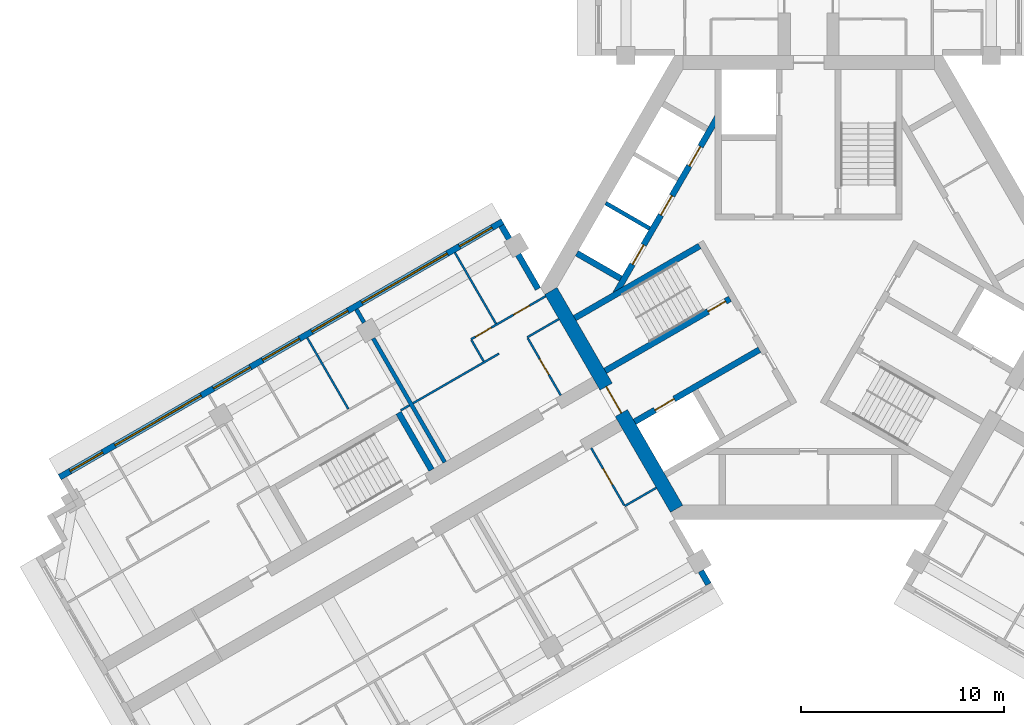
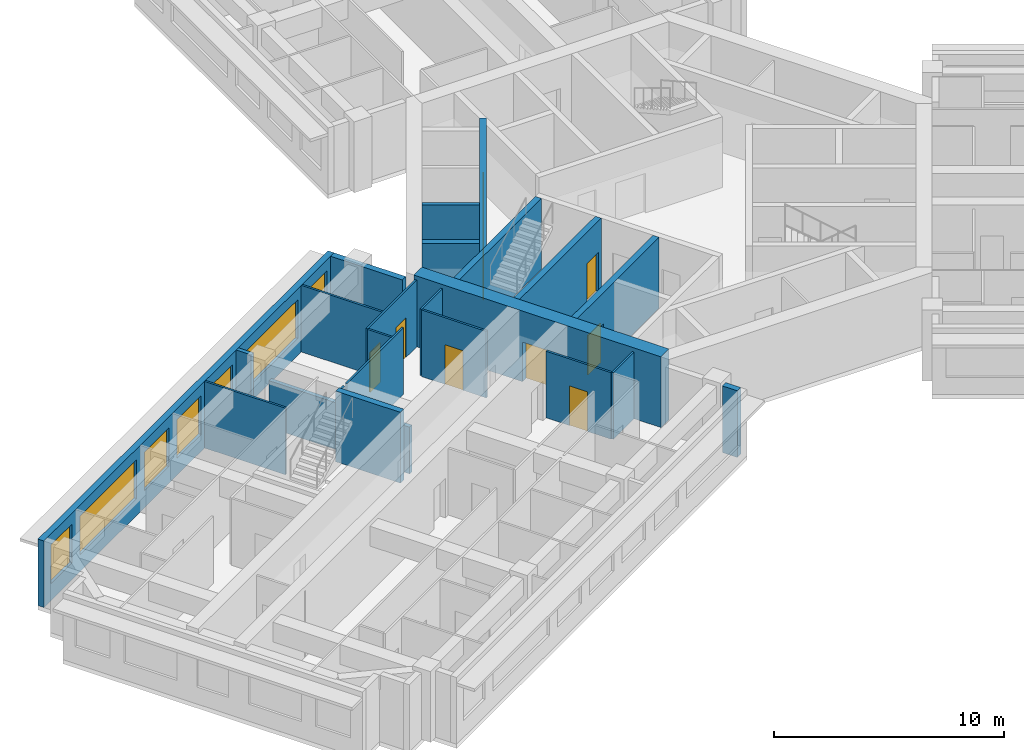
# One storey, part 4 of 12: 23 walls, 10 doors, 7 windows, 17 openings.
"""IFC4 building model written with IfcOpenShell, lengths in metres."""

from ifc_helpers import new_model, si_unit, direction, frame, frame_2d, origin, place, context, subcontext, project, spatial, rectangle, extrude, material, layer, layer_set, type_object, element, fill, save


model = new_model("IFC4")

# Units and contexts
model_context = context("Model", 3, precision=1e-05, world=origin(), true_north=direction((0.0, 1.0)))
body_context = subcontext(model_context, "Body", "Model", "MODEL_VIEW")
ifc_project = project(units=[si_unit("LENGTHUNIT", "METRE"), si_unit("AREAUNIT", "SQUARE_METRE"), si_unit("VOLUMEUNIT", "CUBIC_METRE"), si_unit("PLANEANGLEUNIT", "RADIAN"), si_unit("MASSUNIT", "GRAM", prefix="KILO")], contexts=[model_context])

# Site, building, storey
site_placement = place(None, origin())
site = spatial("IfcSite", under=ifc_project, at=site_placement, CompositionType="ELEMENT")
building_placement = place(site_placement, origin())
building = spatial("IfcBuilding", under=site, at=building_placement, Name="Impinga Residences", CompositionType="ELEMENT")
storey_placement = place(building_placement, frame((0.0, 0.0, 211.0)))
storey = spatial("IfcBuildingStorey", under=building, at=storey_placement, Name="L52", CompositionType="ELEMENT", Elevation=211.0)

# Wall, openings, windows
ifc_material_1 = material(Name="Terracotta rainscreen on blockwork", Category="masonry")
ifc_layer_1 = layer(ifc_material_1, 0.300048828125)
ifc_layer_set_1 = layer_set([ifc_layer_1], Name="EW1 external wall, terracotta rainscreen on blockwork 300")
wall_type_1 = type_object("IfcWallType", Name="EW1 external wall, terracotta rainscreen on blockwork 300", PredefinedType="SOLIDWALL", material=ifc_layer_set_1)
wall_1_placement = place(storey_placement, frame((-36.89892578125, -9.352294921875, 0.0), z_axis=(0.0, 0.0, 1.0), x_axis=(0.86602925447, 0.499993330357, 0.0)))
wall_1 = element("IfcWall", 1, at=wall_1_placement, inside=storey, type_object=wall_type_1, Name="External wall EW1 L52", PredefinedType="SOLIDWALL", context=body_context, shape_type="SweptSolid", body=[
    extrude(rectangle(XDim=25.199951171875, YDim=0.300048828125, at=frame_2d((12.60009765625, 0.0))), origin(), (0.0, 0.0, 1.0), 3.530029296875),
])
opening_1_placement = place(wall_1_placement, frame((0.60009765625, 0.0, 0.89990234375)))
opening_1 = element("IfcOpeningElement", 2, at=opening_1_placement, cuts=wall_1, Name="Opening W15", PredefinedType="OPENING", context=body_context, shape_type="SweptSolid", body=[
    extrude(rectangle(XDim=1.85009765625, YDim=2.050048828125, at=frame_2d((0.925048828125, 1.02490234375))), frame((0.0, 0.159912109375, 0.0), z_axis=(0.0, -1.0, 0.0), x_axis=(1.0, 0.0, 0.0)), (0.0, 0.0, 1.0), 0.320068359375),
])
opening_2_placement = place(wall_1_placement, frame((3.14990234375, 0.0, 0.89990234375)))
opening_2 = element("IfcOpeningElement", 3, at=opening_2_placement, cuts=wall_1, Name="Opening W16", PredefinedType="OPENING", context=body_context, shape_type="SweptSolid", body=[
    extrude(rectangle(XDim=4.89990234375, YDim=2.050048828125, at=frame_2d((2.449951171875, 1.02490234375))), frame((0.0, 0.159912109375, 0.0), z_axis=(0.0, -1.0, 0.0), x_axis=(1.0, 0.0, 0.0)), (0.0, 0.0, 1.0), 0.320068359375),
])
opening_3_placement = place(wall_1_placement, frame((8.75, 0.0, 0.89990234375)))
opening_3 = element("IfcOpeningElement", 4, at=opening_3_placement, cuts=wall_1, Name="Opening W9", PredefinedType="OPENING", context=body_context, shape_type="SweptSolid", body=[
    extrude(rectangle(XDim=2.10009765625, YDim=2.050048828125, at=frame_2d((1.050048828125, 1.02490234375))), frame((0.0, 0.159912109375, 0.0), z_axis=(0.0, -1.0, 0.0), x_axis=(1.0, 0.0, 0.0)), (0.0, 0.0, 1.0), 0.320068359375),
])
opening_4_placement = place(wall_1_placement, frame((11.550048828125, 0.0, 0.89990234375)))
opening_4 = element("IfcOpeningElement", 5, at=opening_4_placement, cuts=wall_1, Name="Opening W9", PredefinedType="OPENING", context=body_context, shape_type="SweptSolid", body=[
    extrude(rectangle(XDim=2.10009765625, YDim=2.050048828125, at=frame_2d((1.050048828125, 1.02490234375))), frame((0.0, 0.159912109375, 0.0), z_axis=(0.0, -1.0, 0.0), x_axis=(1.0, 0.0, 0.0)), (0.0, 0.0, 1.0), 0.320068359375),
])
opening_5_placement = place(wall_1_placement, frame((14.35009765625, 0.0, 0.89990234375)))
opening_5 = element("IfcOpeningElement", 6, at=opening_5_placement, cuts=wall_1, Name="Opening W14", PredefinedType="OPENING", context=body_context, shape_type="SweptSolid", body=[
    extrude(rectangle(XDim=2.050048828125, YDim=2.050048828125, at=frame_2d((1.02490234375, 1.02490234375))), frame((0.0, 0.159912109375, 0.0), z_axis=(0.0, -1.0, 0.0), x_axis=(1.0, 0.0, 0.0)), (0.0, 0.0, 1.0), 0.320068359375),
])
opening_6_placement = place(wall_1_placement, frame((17.199951171875, 0.0, 0.89990234375)))
opening_6 = element("IfcOpeningElement", 7, at=opening_6_placement, cuts=wall_1, Name="Opening W6", PredefinedType="OPENING", context=body_context, shape_type="SweptSolid", body=[
    extrude(rectangle(XDim=4.85009765625, YDim=2.050048828125, at=frame_2d((2.425048828125, 1.02490234375))), frame((0.0, 0.159912109375, 0.0), z_axis=(0.0, -1.0, 0.0), x_axis=(1.0, 0.0, 0.0)), (0.0, 0.0, 1.0), 0.320068359375),
])
opening_7_placement = place(wall_1_placement, frame((22.75, 0.0, 0.89990234375)))
opening_7 = element("IfcOpeningElement", 8, at=opening_7_placement, cuts=wall_1, Name="Opening W15", PredefinedType="OPENING", context=body_context, shape_type="SweptSolid", body=[
    extrude(rectangle(XDim=1.85009765625, YDim=2.050048828125, at=frame_2d((0.925048828125, 1.02490234375))), frame((0.0, 0.159912109375, 0.0), z_axis=(0.0, -1.0, 0.0), x_axis=(1.0, 0.0, 0.0)), (0.0, 0.0, 1.0), 0.320068359375),
])
ifc_material_2 = material(Name="Aluminium window, clear double glazing", Category="aluminium")
window_type_1 = type_object("IfcWindowType", Name="W14 ribbon window 2050x2050", PartitioningType="SINGLE_PANEL", PredefinedType="WINDOW", material=ifc_material_2)
window_1_placement = place(opening_5_placement, origin())
window_1 = element("IfcWindow", 9, at=window_1_placement, inside=storey, type_object=window_type_1, Name="Window L52", OverallHeight=2.050048828125, OverallWidth=2.050048828125, PartitioningType="SINGLE_PANEL", PredefinedType="WINDOW", context=body_context, shape_type="SweptSolid", body=[
    extrude(rectangle(XDim=2.050048828125, YDim=2.050048828125, at=frame_2d((1.02490234375, 1.02490234375))), frame((0.0, 0.030029296875, 0.0), z_axis=(0.0, -1.0, 0.0), x_axis=(1.0, 0.0, 0.0)), (0.0, 0.0, 1.0), 0.06005859375),
])
fill(opening_5, window_1)
window_type_2 = type_object("IfcWindowType", Name="W15 ribbon window 1850x2050", PartitioningType="SINGLE_PANEL", PredefinedType="WINDOW", material=ifc_material_2)
window_2_placement = place(opening_1_placement, origin())
window_2 = element("IfcWindow", 10, at=window_2_placement, inside=storey, type_object=window_type_2, Name="Window L52", OverallHeight=2.050048828125, OverallWidth=1.85009765625, PartitioningType="SINGLE_PANEL", PredefinedType="WINDOW", context=body_context, shape_type="SweptSolid", body=[
    extrude(rectangle(XDim=1.85009765625, YDim=2.050048828125, at=frame_2d((0.925048828125, 1.02490234375))), frame((0.0, 0.030029296875, 0.0), z_axis=(0.0, -1.0, 0.0), x_axis=(1.0, 0.0, 0.0)), (0.0, 0.0, 1.0), 0.06005859375),
])
fill(opening_1, window_2)
window_3_placement = place(opening_7_placement, origin())
window_3 = element("IfcWindow", 11, at=window_3_placement, inside=storey, type_object=window_type_2, Name="Window L52", OverallHeight=2.050048828125, OverallWidth=1.85009765625, PartitioningType="SINGLE_PANEL", PredefinedType="WINDOW", context=body_context, shape_type="SweptSolid", body=[
    extrude(rectangle(XDim=1.85009765625, YDim=2.050048828125, at=frame_2d((0.925048828125, 1.02490234375))), frame((0.0, 0.030029296875, 0.0), z_axis=(0.0, -1.0, 0.0), x_axis=(1.0, 0.0, 0.0)), (0.0, 0.0, 1.0), 0.06005859375),
])
fill(opening_7, window_3)
window_type_3 = type_object("IfcWindowType", Name="W16 ribbon window 4900x2050", PartitioningType="SINGLE_PANEL", PredefinedType="WINDOW", material=ifc_material_2)
window_4_placement = place(opening_2_placement, origin())
window_4 = element("IfcWindow", 12, at=window_4_placement, inside=storey, type_object=window_type_3, Name="Window L52", OverallHeight=2.050048828125, OverallWidth=4.89990234375, PartitioningType="SINGLE_PANEL", PredefinedType="WINDOW", context=body_context, shape_type="SweptSolid", body=[
    extrude(rectangle(XDim=4.89990234375, YDim=2.050048828125, at=frame_2d((2.449951171875, 1.02490234375))), frame((0.0, 0.030029296875, 0.0), z_axis=(0.0, -1.0, 0.0), x_axis=(1.0, 0.0, 0.0)), (0.0, 0.0, 1.0), 0.06005859375),
])
fill(opening_2, window_4)
window_type_4 = type_object("IfcWindowType", Name="W6 ribbon window 4850x2050", PartitioningType="SINGLE_PANEL", PredefinedType="WINDOW", material=ifc_material_2)
window_5_placement = place(opening_6_placement, origin())
window_5 = element("IfcWindow", 13, at=window_5_placement, inside=storey, type_object=window_type_4, Name="Window L52", OverallHeight=2.050048828125, OverallWidth=4.85009765625, PartitioningType="SINGLE_PANEL", PredefinedType="WINDOW", context=body_context, shape_type="SweptSolid", body=[
    extrude(rectangle(XDim=4.85009765625, YDim=2.050048828125, at=frame_2d((2.425048828125, 1.02490234375))), frame((0.0, 0.030029296875, 0.0), z_axis=(0.0, -1.0, 0.0), x_axis=(1.0, 0.0, 0.0)), (0.0, 0.0, 1.0), 0.06005859375),
])
fill(opening_6, window_5)
window_type_5 = type_object("IfcWindowType", Name="W9 ribbon window 2100x2050", PartitioningType="SINGLE_PANEL", PredefinedType="WINDOW", material=ifc_material_2)
window_6_placement = place(opening_3_placement, origin())
window_6 = element("IfcWindow", 14, at=window_6_placement, inside=storey, type_object=window_type_5, Name="Window L52", OverallHeight=2.050048828125, OverallWidth=2.10009765625, PartitioningType="SINGLE_PANEL", PredefinedType="WINDOW", context=body_context, shape_type="SweptSolid", body=[
    extrude(rectangle(XDim=2.10009765625, YDim=2.050048828125, at=frame_2d((1.050048828125, 1.02490234375))), frame((0.0, 0.030029296875, 0.0), z_axis=(0.0, -1.0, 0.0), x_axis=(1.0, 0.0, 0.0)), (0.0, 0.0, 1.0), 0.06005859375),
])
fill(opening_3, window_6)
window_7_placement = place(opening_4_placement, origin())
window_7 = element("IfcWindow", 15, at=window_7_placement, inside=storey, type_object=window_type_5, Name="Window L52", OverallHeight=2.050048828125, OverallWidth=2.10009765625, PartitioningType="SINGLE_PANEL", PredefinedType="WINDOW", context=body_context, shape_type="SweptSolid", body=[
    extrude(rectangle(XDim=2.10009765625, YDim=2.050048828125, at=frame_2d((1.050048828125, 1.02490234375))), frame((0.0, 0.030029296875, 0.0), z_axis=(0.0, -1.0, 0.0), x_axis=(1.0, 0.0, 0.0)), (0.0, 0.0, 1.0), 0.06005859375),
])
fill(opening_4, window_7)

# Walls
wall_2_placement = place(storey_placement, frame((-15.1298828125, 3.042724609375, 0.0), z_axis=(0.0, 0.0, 1.0), x_axis=(0.500012057535, -0.866018442252, 0.0)))
element("IfcWall", 16, at=wall_2_placement, inside=storey, type_object=wall_type_1, Name="External wall EW1 L52", PredefinedType="SOLIDWALL", context=body_context, shape_type="SweptSolid", body=[
    extrude(rectangle(XDim=3.60009765625, YDim=0.300048828125, at=frame_2d((1.800048828125, 0.0))), origin(), (0.0, 0.0, 1.0), 3.530029296875),
])
wall_3_placement = place(storey_placement, frame((-5.304931640625, -13.974609375, 0.0), z_axis=(0.0, 0.0, 1.0), x_axis=(0.499919672301, -0.866071776036, 0.0)))
element("IfcWall", 17, at=wall_3_placement, inside=storey, type_object=wall_type_1, Name="External wall EW1 L52", PredefinedType="SOLIDWALL", context=body_context, shape_type="SweptSolid", body=[
    extrude(rectangle(XDim=0.75, YDim=0.300048828125, at=frame_2d((0.375, 0.0))), origin(), (0.0, 0.0, 1.0), 3.530029296875),
])
ifc_material_3 = material(Name="Gypsum board on steel studs", Category="steel")
ifc_layer_2 = layer(ifc_material_3, 0.10009765625)
ifc_layer_set_2 = layer_set([ifc_layer_2], Name="Gypsum board on steel studs")
wall_type_2 = type_object("IfcWallType", Name="IP1 partition 100", PredefinedType="PARTITIONING", material=ifc_layer_set_2)
wall_4_placement = place(storey_placement, frame((-7.5, -9.872802734375, 0.0), z_axis=(0.0, 0.0, 1.0), x_axis=(-0.866047807691, -0.499961193289, 0.0)))
element("IfcWall", 18, at=wall_4_placement, inside=storey, type_object=wall_type_2, Name="Partition L52-WA1:DIV0", PredefinedType="PARTITIONING", context=body_context, shape_type="SweptSolid", body=[
    extrude(rectangle(XDim=1.800048828125, YDim=0.10009765625, at=frame_2d((0.89990234375, 0.0))), origin(), (0.0, 0.0, 1.0), 3.530029296875),
])

# Wall, opening, door
wall_5_placement = place(storey_placement, frame((-10.708740234375, -7.914794921875, 0.0), z_axis=(0.0, 0.0, 1.0), x_axis=(0.499984717929, -0.866034226713, 0.0)))
wall_5 = element("IfcWall", 19, at=wall_5_placement, inside=storey, type_object=wall_type_2, Name="Partition L52-WA1:IB1", PredefinedType="PARTITIONING", context=body_context, shape_type="SweptSolid", body=[
    extrude(rectangle(XDim=3.25, YDim=0.10009765625, at=frame_2d((1.625, 0.0))), origin(), (0.0, 0.0, 1.0), 3.530029296875),
])
opening_8_placement = place(wall_5_placement, frame((1.175048828125, 0.0, 0.0)))
opening_8 = element("IfcOpeningElement", 20, at=opening_8_placement, cuts=wall_5, Name="Opening D2", PredefinedType="OPENING", context=body_context, shape_type="SweptSolid", body=[
    extrude(rectangle(XDim=0.89990234375, YDim=2.10009765625, at=frame_2d((0.449951171875, 1.050048828125))), frame((0.0, 0.06005859375, 0.0), z_axis=(0.0, -1.0, 0.0), x_axis=(1.0, 0.0, 0.0)), (0.0, 0.0, 1.0), 0.1201171875),
])
ifc_material_4 = material(Name="Timber door set", Category="wood")
door_type_1 = type_object("IfcDoorType", Name="D2 internal door 900x2100", OperationType="SINGLE_SWING_LEFT", PredefinedType="DOOR", material=ifc_material_4)
door_1_placement = place(opening_8_placement, origin())
door_1 = element("IfcDoor", 21, at=door_1_placement, inside=storey, type_object=door_type_1, Name="Apartment L52-WA1 bathroom door", OperationType="SINGLE_SWING_LEFT", OverallHeight=2.10009765625, OverallWidth=0.89990234375, PredefinedType="DOOR", context=body_context, shape_type="SweptSolid", body=[
    extrude(rectangle(XDim=0.89990234375, YDim=2.10009765625, at=frame_2d((0.449951171875, 1.050048828125))), frame((0.0, 0.02490234375, 0.0), z_axis=(0.0, -1.0, 0.0), x_axis=(1.0, 0.0, 0.0)), (0.0, 0.0, 1.0), 0.050048828125),
])
fill(opening_8, door_1)

# Walls
wall_6_placement = place(storey_placement, frame((-12.300048828125, -1.558837890625, 0.0), z_axis=(0.0, 0.0, 1.0), x_axis=(-0.866047807691, -0.499961193289, 0.0)))
element("IfcWall", 22, at=wall_6_placement, inside=storey, type_object=wall_type_2, Name="Partition L52-WF1:DIV0", PredefinedType="PARTITIONING", context=body_context, shape_type="SweptSolid", body=[
    extrude(rectangle(XDim=1.800048828125, YDim=0.10009765625, at=frame_2d((0.89990234375, 0.0))), origin(), (0.0, 0.0, 1.0), 3.530029296875),
])
wall_7_placement = place(storey_placement, frame((-15.244384765625, -3.2587890625, 0.0), z_axis=(0.0, 0.0, 1.0), x_axis=(-0.866036242063, -0.49998122708, 0.0)))
element("IfcWall", 23, at=wall_7_placement, inside=storey, type_object=wall_type_2, Name="Partition L52-WF1:DIV1", PredefinedType="PARTITIONING", context=body_context, shape_type="SweptSolid", body=[
    extrude(rectangle(XDim=4.900146484375, YDim=0.10009765625, at=frame_2d((2.4501953125, 0.0))), origin(), (0.0, 0.0, 1.0), 3.530029296875),
])

# Wall, openings, doors
wall_8_placement = place(storey_placement, frame((-12.949951171875, -0.43310546875, 0.0), z_axis=(0.0, 0.0, 1.0), x_axis=(-0.866028703517, -0.499994284652, 0.0)))
wall_8 = element("IfcWall", 24, at=wall_8_placement, inside=storey, type_object=wall_type_2, Name="Partition L52-WF1:STRIP", PredefinedType="PARTITIONING", context=body_context, shape_type="SweptSolid", body=[
    extrude(rectangle(XDim=4.25, YDim=0.10009765625, at=frame_2d((2.125, 0.0))), origin(), (0.0, 0.0, 1.0), 3.530029296875),
])
opening_9_placement = place(wall_8_placement, frame((0.925048828125, 0.0, 0.0)))
opening_9 = element("IfcOpeningElement", 25, at=opening_9_placement, cuts=wall_8, Name="Opening D2", PredefinedType="OPENING", context=body_context, shape_type="SweptSolid", body=[
    extrude(rectangle(XDim=0.89990234375, YDim=2.10009765625, at=frame_2d((0.449951171875, 1.050048828125))), frame((0.0, 0.06005859375, 0.0), z_axis=(0.0, -1.0, 0.0), x_axis=(1.0, 0.0, 0.0)), (0.0, 0.0, 1.0), 0.1201171875),
])
opening_10_placement = place(wall_8_placement, frame((3.10009765625, 0.0, 0.0)))
opening_10 = element("IfcOpeningElement", 26, at=opening_10_placement, cuts=wall_8, Name="Opening D2", PredefinedType="OPENING", context=body_context, shape_type="SweptSolid", body=[
    extrude(rectangle(XDim=0.89990234375, YDim=2.10009765625, at=frame_2d((0.449951171875, 1.050048828125))), frame((0.0, 0.06005859375, 0.0), z_axis=(0.0, -1.0, 0.0), x_axis=(1.0, 0.0, 0.0)), (0.0, 0.0, 1.0), 0.1201171875),
])
door_2_placement = place(opening_9_placement, origin())
door_2 = element("IfcDoor", 27, at=door_2_placement, inside=storey, type_object=door_type_1, Name="Apartment L52-WF1 room door", OperationType="SINGLE_SWING_LEFT", OverallHeight=2.10009765625, OverallWidth=0.89990234375, PredefinedType="DOOR", context=body_context, shape_type="SweptSolid", body=[
    extrude(rectangle(XDim=0.89990234375, YDim=2.10009765625, at=frame_2d((0.449951171875, 1.050048828125))), frame((0.0, 0.02490234375, 0.0), z_axis=(0.0, -1.0, 0.0), x_axis=(1.0, 0.0, 0.0)), (0.0, 0.0, 1.0), 0.050048828125),
])
fill(opening_9, door_2)
door_3_placement = place(opening_10_placement, origin())
door_3 = element("IfcDoor", 28, at=door_3_placement, inside=storey, type_object=door_type_1, Name="Apartment L52-WF1 room door", OperationType="SINGLE_SWING_RIGHT", OverallHeight=2.10009765625, OverallWidth=0.89990234375, PredefinedType="DOOR", context=body_context, shape_type="SweptSolid", body=[
    extrude(rectangle(XDim=0.89990234375, YDim=2.10009765625, at=frame_2d((0.449951171875, 1.050048828125))), frame((0.0, 0.02490234375, 0.0), z_axis=(0.0, -1.0, 0.0), x_axis=(1.0, 0.0, 0.0)), (0.0, 0.0, 1.0), 0.050048828125),
])
fill(opening_10, door_3)

# Wall
wall_9_placement = place(storey_placement, frame((-16.005615234375, -3.640625, 0.0), z_axis=(0.0, 0.0, 1.0), x_axis=(-0.500033551112, 0.866006032174, 0.0)))
element("IfcWall", 29, at=wall_9_placement, inside=storey, type_object=wall_type_2, Name="Partition L52-WF1:SE1", PredefinedType="PARTITIONING", context=body_context, shape_type="SweptSolid", body=[
    extrude(rectangle(XDim=1.2001953125, YDim=0.10009765625, at=frame_2d((0.60009765625, 0.0))), origin(), (0.0, 0.0, 1.0), 3.530029296875),
])

# Wall, opening, door
wall_10_placement = place(storey_placement, frame((-12.208740234375, -5.316650390625, 0.0), z_axis=(0.0, 0.0, 1.0), x_axis=(-0.500017246033, 0.866015446554, 0.0)))
wall_10 = element("IfcWall", 30, at=wall_10_placement, inside=storey, type_object=wall_type_2, Name="Partition L52-WF1:IB1", PredefinedType="PARTITIONING", context=body_context, shape_type="SweptSolid", body=[
    extrude(rectangle(XDim=3.25, YDim=0.10009765625, at=frame_2d((1.625, 0.0))), origin(), (0.0, 0.0, 1.0), 3.530029296875),
])
opening_11_placement = place(wall_10_placement, frame((1.175048828125, 0.0, 0.0)))
opening_11 = element("IfcOpeningElement", 31, at=opening_11_placement, cuts=wall_10, Name="Opening D2", PredefinedType="OPENING", context=body_context, shape_type="SweptSolid", body=[
    extrude(rectangle(XDim=0.89990234375, YDim=2.10009765625, at=frame_2d((0.449951171875, 1.050048828125))), frame((0.0, 0.06005859375, 0.0), z_axis=(0.0, -1.0, 0.0), x_axis=(1.0, 0.0, 0.0)), (0.0, 0.0, 1.0), 0.1201171875),
])
door_4_placement = place(opening_11_placement, origin())
door_4 = element("IfcDoor", 32, at=door_4_placement, inside=storey, type_object=door_type_1, Name="Apartment L52-WF1 bathroom door", OperationType="SINGLE_SWING_LEFT", OverallHeight=2.10009765625, OverallWidth=0.89990234375, PredefinedType="DOOR", context=body_context, shape_type="SweptSolid", body=[
    extrude(rectangle(XDim=0.89990234375, YDim=2.10009765625, at=frame_2d((0.449951171875, 1.050048828125))), frame((0.0, 0.02490234375, 0.0), z_axis=(0.0, -1.0, 0.0), x_axis=(1.0, 0.0, 0.0)), (0.0, 0.0, 1.0), 0.050048828125),
])
fill(opening_11, door_4)

# Walls
wall_11_placement = place(storey_placement, frame((-15.39990234375, -1.789794921875, 0.0), z_axis=(0.0, 0.0, 1.0), x_axis=(-0.499964223975, 0.866046058097, 0.0)))
element("IfcWall", 33, at=wall_11_placement, inside=storey, type_object=wall_type_2, Name="Partition L52-WF1:OB1", PredefinedType="PARTITIONING", context=body_context, shape_type="SweptSolid", body=[
    extrude(rectangle(XDim=4.050048828125, YDim=0.10009765625, at=frame_2d((2.02490234375, 0.0))), origin(), (0.0, 0.0, 1.0), 3.530029296875),
])
wall_12_placement = place(storey_placement, frame((-19.6611328125, -5.808837890625, 0.0), z_axis=(0.0, 0.0, 1.0), x_axis=(-0.866071776036, -0.499919672301, 0.0)))
element("IfcWall", 34, at=wall_12_placement, inside=storey, type_object=wall_type_2, Name="Partition L52-WF2:DIV0", PredefinedType="PARTITIONING", context=body_context, shape_type="SweptSolid", body=[
    extrude(rectangle(XDim=0.5, YDim=0.10009765625, at=frame_2d((0.25, 0.0))), origin(), (0.0, 0.0, 1.0), 3.530029296875),
])
wall_13_placement = place(storey_placement, frame((-22.674560546875, -5.98974609375, 0.0), z_axis=(0.0, 0.0, 1.0), x_axis=(-0.499990325971, 0.866030989016, 0.0)))
element("IfcWall", 35, at=wall_13_placement, inside=storey, type_object=wall_type_2, Name="Partition L52-WF2:OB1", PredefinedType="PARTITIONING", context=body_context, shape_type="SweptSolid", body=[
    extrude(rectangle(XDim=4.0498046875, YDim=0.10009765625, at=frame_2d((2.02490234375, 0.0))), origin(), (0.0, 0.0, 1.0), 3.530029296875),
])
ifc_material_5 = material(Name="Concrete blockwork", Category="masonry")
ifc_layer_3 = layer(ifc_material_5, 0.199951171875)
ifc_layer_set_3 = layer_set([ifc_layer_3], Name="PW1 party wall between apartments 200")
wall_type_3 = type_object("IfcWallType", Name="PW1 party wall between apartments 200", PredefinedType="SOLIDWALL", material=ifc_layer_set_3)
wall_14_placement = place(storey_placement, frame((-17.924560546875, -8.61669921875, 0.0), z_axis=(0.0, 0.0, 1.0), x_axis=(-0.500016218704, 0.866016039709, 0.0)))
element("IfcWall", 36, at=wall_14_placement, inside=storey, type_object=wall_type_3, Name="Party wall between apartments L52-WF1:PARTY", PredefinedType="SOLIDWALL", context=body_context, shape_type="SweptSolid", body=[
    extrude(rectangle(XDim=7.050048828125, YDim=0.199951171875, at=frame_2d((3.52490234375, 0.0))), origin(), (0.0, 0.0, 1.0), 2.47998046875),
])
wall_15_placement = place(storey_placement, frame((-21.899658203125, -1.73193359375, 0.0), z_axis=(0.0, 0.0, 1.0), x_axis=(-0.499919672301, 0.866071776036, 0.0)))
element("IfcWall", 37, at=wall_15_placement, inside=storey, type_object=wall_type_3, Name="Party wall between apartments L52-WF1:PARTYb", PredefinedType="SOLIDWALL", context=body_context, shape_type="SweptSolid", body=[
    extrude(rectangle(XDim=0.75, YDim=0.199951171875, at=frame_2d((0.375, 0.0))), origin(), (0.0, 0.0, 1.0), 3.530029296875),
])
ifc_material_6 = material(Name="Concrete C60/75", Category="concrete")
ifc_layer_4 = layer(ifc_material_6, 0.300048828125)
ifc_layer_set_4 = layer_set([ifc_layer_4], Name="Concrete C60/75")
wall_type_4 = type_object("IfcWallType", Name="SE1 wing stair enclosure wall 300", PredefinedType="SOLIDWALL", material=ifc_layer_set_4)
wall_16_placement = place(storey_placement, frame((-18.57421875, -8.99169921875, 0.0), z_axis=(0.0, 0.0, 1.0), x_axis=(-0.500017246033, 0.866015446554, 0.0)))
element("IfcWall", 38, at=wall_16_placement, inside=storey, type_object=wall_type_4, Name="Stair enclosure wall SE1 W END0 L52", PredefinedType="SOLIDWALL", context=body_context, shape_type="SweptSolid", body=[
    extrude(rectangle(XDim=3.25, YDim=0.300048828125, at=frame_2d((1.625, 0.0))), origin(), (0.0, 0.0, 1.0), 3.75),
])

# Wall, opening, door
ifc_layer_5 = layer(ifc_material_6, 0.699951171875)
ifc_layer_set_5 = layer_set([ifc_layer_5], Name="Concrete C60/75")
wall_type_5 = type_object("IfcWallType", Name="SW3 core wall 700", PredefinedType="SHEAR", material=ifc_layer_set_5)
wall_17_placement = place(storey_placement, frame((-6.4990234375, -10.906494140625, 0.0), z_axis=(0.0, 0.0, 1.0), x_axis=(-0.499999875397, 0.866025475724, 0.0)))
wall_17 = element("IfcWall", 39, at=wall_17_placement, inside=storey, type_object=wall_type_5, Name="Core wall SW3 W:FACE L52", PredefinedType="SHEAR", context=body_context, shape_type="SweptSolid", body=[
    extrude(rectangle(XDim=12.3916015625, YDim=0.699951171875, at=frame_2d((6.19580078125, 0.0))), origin(), (0.0, 0.0, 1.0), 3.75),
])
opening_12_placement = place(wall_17_placement, frame((5.44580078125, 0.0, 0.0)))
opening_12 = element("IfcOpeningElement", 40, at=opening_12_placement, cuts=wall_17, Name="Opening D4", PredefinedType="OPENING", context=body_context, shape_type="SweptSolid", body=[
    extrude(rectangle(XDim=1.5, YDim=2.10009765625, at=frame_2d((0.75, 1.050048828125))), frame((0.0, 0.35986328125, 0.0), z_axis=(0.0, -1.0, 0.0), x_axis=(1.0, 0.0, 0.0)), (0.0, 0.0, 1.0), 0.719970703125),
])
door_type_2 = type_object("IfcDoorType", Name="D4 lobby door pair 1500x2100", OperationType="DOUBLE_DOOR_DOUBLE_SWING", PredefinedType="DOOR", material=ifc_material_4)
door_5_placement = place(opening_12_placement, origin())
door_5 = element("IfcDoor", 41, at=door_5_placement, inside=storey, type_object=door_type_2, Name="Lobby door W", OperationType="DOUBLE_DOOR_DOUBLE_SWING", OverallHeight=2.10009765625, OverallWidth=1.5, PredefinedType="DOOR", context=body_context, shape_type="SweptSolid", body=[
    extrude(rectangle(XDim=1.5, YDim=2.10009765625, at=frame_2d((0.75, 1.050048828125))), frame((0.0, 0.02490234375, 0.0), z_axis=(0.0, -1.0, 0.0), x_axis=(1.0, 0.0, 0.0)), (0.0, 0.0, 1.0), 0.050048828125),
])
fill(opening_12, door_5)

ifc_material_7 = material(Name="Concrete C70/85", Category="concrete")
ifc_layer_6 = layer(ifc_material_7, 0.300048828125)
ifc_layer_set_6 = layer_set([ifc_layer_6], Name="Concrete C70/85")
wall_type_6 = type_object("IfcWallType", Name="SW5 core inner wall, stairs, shafts and lobbies 300", PredefinedType="SHEAR", material=ifc_layer_set_6)
wall_18_placement = place(storey_placement, frame((-3.86865234375, -0.559326171875, 0.0), z_axis=(0.0, 0.0, 1.0), x_axis=(-0.866025859768, -0.499999210213, 0.0)))
wall_18 = element("IfcWall", 42, at=wall_18_placement, inside=storey, type_object=wall_type_6, Name="Core wall SW5 W:ST-IN L52", PredefinedType="SHEAR", context=body_context, shape_type="SweptSolid", body=[
    extrude(rectangle(XDim=7.1015625, YDim=0.300048828125, at=frame_2d((3.55078125, 0.0))), origin(), (0.0, 0.0, 1.0), 3.75),
])
opening_13_placement = place(wall_18_placement, frame((0.25, 0.0, 0.0)))
opening_13 = element("IfcOpeningElement", 43, at=opening_13_placement, cuts=wall_18, Name="Opening D5", PredefinedType="OPENING", context=body_context, shape_type="SweptSolid", body=[
    extrude(rectangle(XDim=1.0, YDim=2.10009765625, at=frame_2d((0.5, 1.050048828125))), frame((0.0, 0.159912109375, 0.0), z_axis=(0.0, -1.0, 0.0), x_axis=(1.0, 0.0, 0.0)), (0.0, 0.0, 1.0), 0.320068359375),
])
door_type_3 = type_object("IfcDoorType", Name="D5 stair door 1000x2100", OperationType="SINGLE_SWING_LEFT", PredefinedType="DOOR", material=ifc_material_4)
door_6_placement = place(opening_13_placement, origin())
door_6 = element("IfcDoor", 44, at=door_6_placement, inside=storey, type_object=door_type_3, Name="Stair door W", OperationType="SINGLE_SWING_LEFT", OverallHeight=2.10009765625, OverallWidth=1.0, PredefinedType="DOOR", context=body_context, shape_type="SweptSolid", body=[
    extrude(rectangle(XDim=1.0, YDim=2.10009765625, at=frame_2d((0.5, 1.050048828125))), frame((0.0, 0.02490234375, 0.0), z_axis=(0.0, -1.0, 0.0), x_axis=(1.0, 0.0, 0.0)), (0.0, 0.0, 1.0), 0.050048828125),
])
fill(opening_13, door_6)

# Wall
wall_19_placement = place(storey_placement, frame((-5.36865234375, 2.038818359375, 0.0), z_axis=(0.0, 0.0, 1.0), x_axis=(-0.866025859768, -0.499999210213, 0.0)))
element("IfcWall", 45, at=wall_19_placement, inside=storey, type_object=wall_type_6, Name="Core wall SW5 W:ST-OUT L52", PredefinedType="SHEAR", context=body_context, shape_type="SweptSolid", body=[
    extrude(rectangle(XDim=7.1015625, YDim=0.300048828125, at=frame_2d((3.55078125, 0.0))), origin(), (0.0, 0.0, 1.0), 3.75),
])

# Wall, opening, door
wall_20_placement = place(storey_placement, frame((-2.418701171875, -3.07080078125, 0.0), z_axis=(0.0, 0.0, 1.0), x_axis=(-0.866025859768, -0.499999210213, 0.0)))
wall_20 = element("IfcWall", 46, at=wall_20_placement, inside=storey, type_object=wall_type_6, Name="Core wall SW5 W:FF-IN L52", PredefinedType="SHEAR", context=body_context, shape_type="SweptSolid", body=[
    extrude(rectangle(XDim=7.1015625, YDim=0.300048828125, at=frame_2d((3.55078125, 0.0))), origin(), (0.0, 0.0, 1.0), 3.75),
])
opening_14_placement = place(wall_20_placement, frame((4.85009765625, 0.0, 0.0)))
opening_14 = element("IfcOpeningElement", 47, at=opening_14_placement, cuts=wall_20, Name="Opening LD2", PredefinedType="OPENING", context=body_context, shape_type="SweptSolid", body=[
    extrude(rectangle(XDim=1.10009765625, YDim=2.10009765625, at=frame_2d((0.550048828125, 1.050048828125))), frame((0.0, 0.159912109375, 0.0), z_axis=(0.0, -1.0, 0.0), x_axis=(1.0, 0.0, 0.0)), (0.0, 0.0, 1.0), 0.320068359375),
])
ifc_material_8 = material(Name="Steel lift landing door", Category="steel")
door_type_4 = type_object("IfcDoorType", Name="LD2 firefighting lift landing door 1100x2100", OperationType="DOUBLE_DOOR_SLIDING", PredefinedType="DOOR", material=ifc_material_8)
door_7_placement = place(opening_14_placement, origin())
door_7 = element("IfcDoor", 48, at=door_7_placement, inside=storey, type_object=door_type_4, Name="Firefighting lift landing door F2", OperationType="DOUBLE_DOOR_SLIDING", OverallHeight=2.10009765625, OverallWidth=1.10009765625, PredefinedType="DOOR", context=body_context, shape_type="SweptSolid", body=[
    extrude(rectangle(XDim=1.10009765625, YDim=2.10009765625, at=frame_2d((0.550048828125, 1.050048828125))), frame((0.0, 0.02490234375, 0.0), z_axis=(0.0, -1.0, 0.0), x_axis=(1.0, 0.0, 0.0)), (0.0, 0.0, 1.0), 0.050048828125),
])
fill(opening_14, door_7)

# Wall, openings, doors
wall_21_placement = place(storey_placement, frame((-9.547607421875, -0.3740234375, 0.0), z_axis=(0.0, 0.0, 1.0), x_axis=(0.500002290144, 0.866024081565, 0.0)))
wall_21 = element("IfcWall", 49, at=wall_21_placement, inside=storey, type_object=wall_type_6, Name="Core wall SW5 E:BANK-FRONT L52", PredefinedType="SHEAR", context=body_context, shape_type="SweptSolid", body=[
    extrude(rectangle(XDim=10.1953125, YDim=0.300048828125, at=frame_2d((5.09765625, 0.0))), origin(), (0.0, 0.0, 1.0), 3.75),
])
opening_15_placement = place(wall_21_placement, frame((1.74755859375, 0.0, 0.0)))
opening_15 = element("IfcOpeningElement", 50, at=opening_15_placement, cuts=wall_21, Name="Opening LD1", PredefinedType="OPENING", context=body_context, shape_type="SweptSolid", body=[
    extrude(rectangle(XDim=1.10009765625, YDim=2.10009765625, at=frame_2d((0.550048828125, 1.050048828125))), frame((0.0, 0.159912109375, 0.0), z_axis=(0.0, -1.0, 0.0), x_axis=(1.0, 0.0, 0.0)), (0.0, 0.0, 1.0), 0.320068359375),
])
opening_16_placement = place(wall_21_placement, frame((4.547607421875, 0.0, 0.0)))
opening_16 = element("IfcOpeningElement", 51, at=opening_16_placement, cuts=wall_21, Name="Opening LD1", PredefinedType="OPENING", context=body_context, shape_type="SweptSolid", body=[
    extrude(rectangle(XDim=1.10009765625, YDim=2.10009765625, at=frame_2d((0.550048828125, 1.050048828125))), frame((0.0, 0.159912109375, 0.0), z_axis=(0.0, -1.0, 0.0), x_axis=(1.0, 0.0, 0.0)), (0.0, 0.0, 1.0), 0.320068359375),
])
opening_17_placement = place(wall_21_placement, frame((7.34765625, 0.0, 0.0)))
opening_17 = element("IfcOpeningElement", 52, at=opening_17_placement, cuts=wall_21, Name="Opening LD1", PredefinedType="OPENING", context=body_context, shape_type="SweptSolid", body=[
    extrude(rectangle(XDim=1.10009765625, YDim=2.10009765625, at=frame_2d((0.550048828125, 1.050048828125))), frame((0.0, 0.159912109375, 0.0), z_axis=(0.0, -1.0, 0.0), x_axis=(1.0, 0.0, 0.0)), (0.0, 0.0, 1.0), 0.320068359375),
])
door_type_5 = type_object("IfcDoorType", Name="LD1 passenger lift landing door 1100x2100", OperationType="DOUBLE_DOOR_SLIDING", PredefinedType="DOOR", material=ifc_material_8)
door_8_placement = place(opening_15_placement, origin())
door_8 = element("IfcDoor", 53, at=door_8_placement, inside=storey, type_object=door_type_5, Name="Lift landing door P7", OperationType="DOUBLE_DOOR_SLIDING", OverallHeight=2.10009765625, OverallWidth=1.10009765625, PredefinedType="DOOR", context=body_context, shape_type="SweptSolid", body=[
    extrude(rectangle(XDim=1.10009765625, YDim=2.10009765625, at=frame_2d((0.550048828125, 1.050048828125))), frame((0.0, 0.02490234375, 0.0), z_axis=(0.0, -1.0, 0.0), x_axis=(1.0, 0.0, 0.0)), (0.0, 0.0, 1.0), 0.050048828125),
])
fill(opening_15, door_8)
door_9_placement = place(opening_16_placement, origin())
door_9 = element("IfcDoor", 54, at=door_9_placement, inside=storey, type_object=door_type_5, Name="Lift landing door P8", OperationType="DOUBLE_DOOR_SLIDING", OverallHeight=2.10009765625, OverallWidth=1.10009765625, PredefinedType="DOOR", context=body_context, shape_type="SweptSolid", body=[
    extrude(rectangle(XDim=1.10009765625, YDim=2.10009765625, at=frame_2d((0.550048828125, 1.050048828125))), frame((0.0, 0.02490234375, 0.0), z_axis=(0.0, -1.0, 0.0), x_axis=(1.0, 0.0, 0.0)), (0.0, 0.0, 1.0), 0.050048828125),
])
fill(opening_16, door_9)
door_10_placement = place(opening_17_placement, origin())
door_10 = element("IfcDoor", 55, at=door_10_placement, inside=storey, type_object=door_type_5, Name="Lift landing door P9", OperationType="DOUBLE_DOOR_SLIDING", OverallHeight=2.10009765625, OverallWidth=1.10009765625, PredefinedType="DOOR", context=body_context, shape_type="SweptSolid", body=[
    extrude(rectangle(XDim=1.10009765625, YDim=2.10009765625, at=frame_2d((0.550048828125, 1.050048828125))), frame((0.0, 0.02490234375, 0.0), z_axis=(0.0, -1.0, 0.0), x_axis=(1.0, 0.0, 0.0)), (0.0, 0.0, 1.0), 0.050048828125),
])
fill(opening_17, door_10)

# Walls
wall_22_placement = place(storey_placement, frame((-9.253662109375, 0.43505859375, 0.0), z_axis=(0.0, 0.0, 1.0), x_axis=(-0.866022959057, 0.500004234368, 0.0)))
element("IfcWall", 56, at=wall_22_placement, inside=storey, type_object=wall_type_6, Name="Core wall SW5 E:BANK-L L52", PredefinedType="SHEAR", context=body_context, shape_type="SweptSolid", body=[
    extrude(rectangle(XDim=2.5, YDim=0.300048828125, at=frame_2d((1.25, 0.0))), origin(), (0.0, 0.0, 1.0), 3.75),
])
ifc_layer_7 = layer(ifc_material_7, 0.199951171875)
ifc_layer_set_7 = layer_set([ifc_layer_7], Name="Concrete C70/85")
wall_type_7 = type_object("IfcWallType", Name="SW6 lift shaft divider wall 200", PredefinedType="SHEAR", material=ifc_layer_set_7)
wall_23_placement = place(storey_placement, frame((-7.82861328125, 2.9033203125, 0.0), z_axis=(0.0, 0.0, 1.0), x_axis=(-0.866047370643, 0.499961950354, 0.0)))
element("IfcWall", 57, at=wall_23_placement, inside=storey, type_object=wall_type_7, Name="Core wall SW6 E:BANK-D1 L52", PredefinedType="SHEAR", context=body_context, shape_type="SweptSolid", body=[
    extrude(rectangle(XDim=2.500244140625, YDim=0.199951171875, at=frame_2d((1.25, 0.0))), origin(), (0.0, 0.0, 1.0), 3.75),
])

save(model, "model.ifc")
